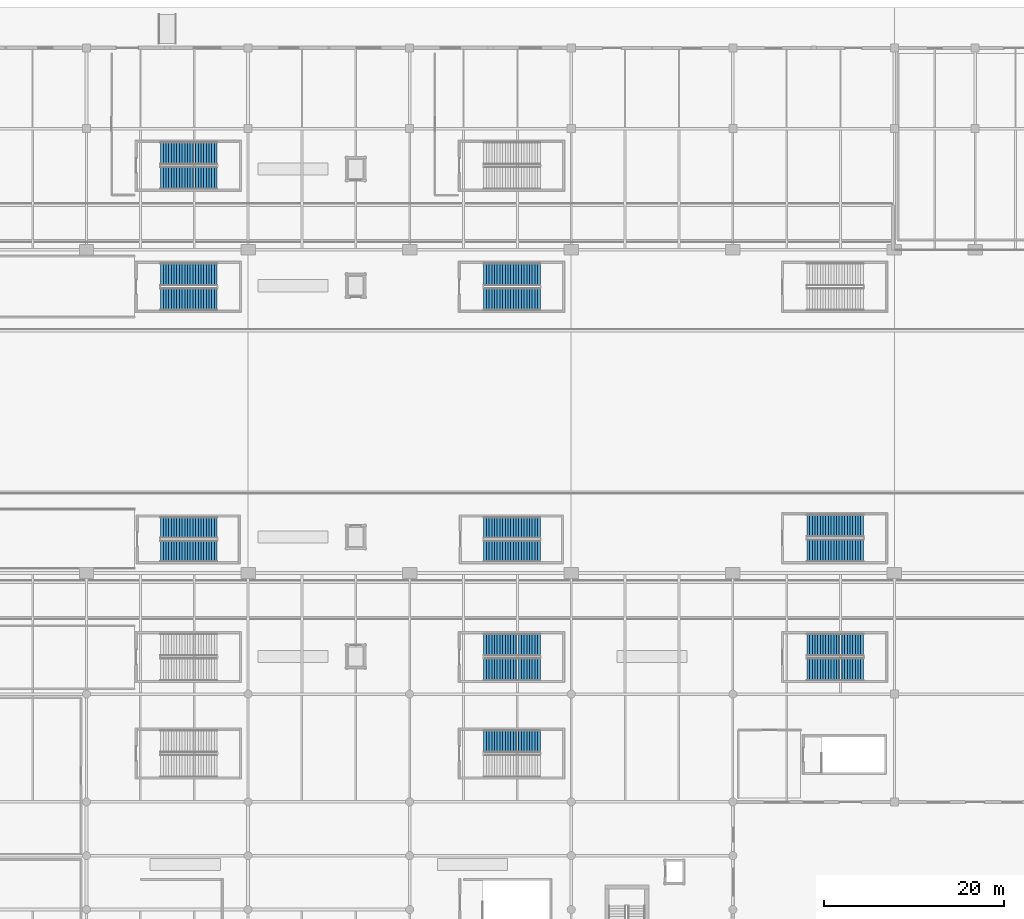
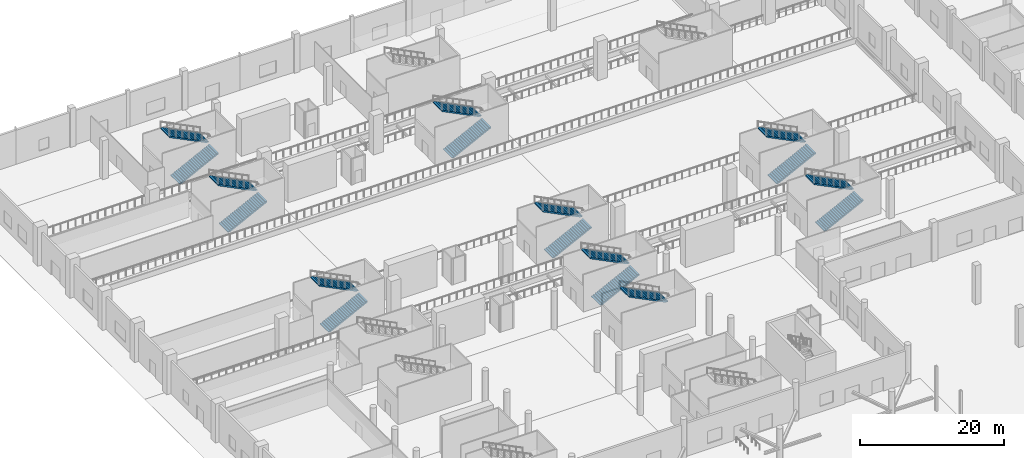
# One storey, part 30 of 65: 17 stair flights, 9 elements without a shape of their own.
"""IFC4 building model written with IfcOpenShell, lengths in metres."""

from ifc_helpers import new_model, si_unit, direction, frame, origin, place, context, subcontext, project, spatial, polyline, outline, extrude, material, type_object, element, aggregate, save


model = new_model("IFC4")

# Units and contexts
model_context = context("Model", 3, precision=1e-05, world=origin(), true_north=direction((0.0, 1.0)))
body_context = subcontext(model_context, "Body", "Model", "MODEL_VIEW")
ifc_project = project(units=[si_unit("LENGTHUNIT", "METRE"), si_unit("AREAUNIT", "SQUARE_METRE"), si_unit("VOLUMEUNIT", "CUBIC_METRE"), si_unit("PLANEANGLEUNIT", "RADIAN"), si_unit("MASSUNIT", "GRAM", prefix="KILO")], contexts=[model_context])

# Site, building, storey
site_placement = place(None, origin())
site = spatial("IfcSite", under=ifc_project, at=site_placement, CompositionType="ELEMENT")
building_placement = place(site_placement, origin())
building = spatial("IfcBuilding", under=site, at=building_placement, Name="Chuanluo Vaults Station", CompositionType="ELEMENT")
storey_placement = place(building_placement, origin())
storey = spatial("IfcBuildingStorey", under=building, at=storey_placement, Name="L00", CompositionType="ELEMENT", Elevation=0.0)

# Stair, stair flights
ifc_material_1 = material(Name="Concrete C40", Category="concrete")
stair_type_1 = type_object("IfcStairType", Name="STR-TWO-2400", PredefinedType="HALF_TURN_STAIR", material=ifc_material_1)
stair_1_placement = place(storey_placement, origin())
stair_1 = element("IfcStair", 1, at=stair_1_placement, inside=storey, type_object=stair_type_1, Name="L00 ST-10", PredefinedType="HALF_TURN_STAIR")
ifc_material_2 = material(Name="Concrete C40", Category="concrete")
stair_flight_type_1 = type_object("IfcStairFlightType", Name="SFL-STR-2400", PredefinedType="STRAIGHT", material=ifc_material_2)
stair_flight_1_placement = place(storey_placement, frame((26.25, 69.9375, 0.0), z_axis=(0.0, 0.0, 1.0), x_axis=(1.0, 0.0, 0.0)))
stair_flight_1 = element("IfcStairFlight", 2, at=stair_flight_1_placement, type_object=stair_flight_type_1, Name="ST-10 flight 1", NumberOfRisers=22, NumberOfTreads=21, PredefinedType="STRAIGHT", RiserHeight=0.15, TreadLength=0.3, context=body_context, shape_type="SweptSolid", body=[
    extrude(outline(polyline([(0.0, 0.0), (0.0, 0.14990234375), (0.300048828125, 0.14990234375), (0.300048828125, 0.300048828125), (0.60009765625, 0.300048828125), (0.60009765625, 0.449951171875), (0.89990234375, 0.449951171875), (0.89990234375, 0.60009765625), (1.199951171875, 0.60009765625), (1.199951171875, 0.75), (1.5, 0.75), (1.5, 0.89990234375), (1.800048828125, 0.89990234375), (1.800048828125, 1.050048828125), (2.10009765625, 1.050048828125), (2.10009765625, 1.199951171875), (2.39990234375, 1.199951171875), (2.39990234375, 1.35009765625), (2.699951171875, 1.35009765625), (2.699951171875, 1.5), (3.0, 1.5), (3.0, 1.64990234375), (3.300048828125, 1.64990234375), (3.300048828125, 1.800048828125), (3.60009765625, 1.800048828125), (3.60009765625, 1.949951171875), (3.89990234375, 1.949951171875), (3.89990234375, 2.10009765625), (4.199951171875, 2.10009765625), (4.199951171875, 2.25), (4.5, 2.25), (4.5, 2.39990234375), (4.800048828125, 2.39990234375), (4.800048828125, 2.550048828125), (5.10009765625, 2.550048828125), (5.10009765625, 2.699951171875), (5.39990234375, 2.699951171875), (5.39990234375, 2.85009765625), (5.699951171875, 2.85009765625), (5.699951171875, 3.0), (6.0, 3.0), (6.0, 3.14990234375), (6.300048828125, 3.14990234375), (6.300048828125, 3.300048828125), (6.300048828125, 2.94873046875), (0.40234375, 0.0), (0.0, 0.0)])), frame((0.0, 1.1875, 0.0), z_axis=(0.0, -1.0, 0.0), x_axis=(1.0, 0.0, 0.0)), (0.0, 0.0, 1.0), 2.375),
])
stair_flight_2_placement = place(storey_placement, frame((32.550048828125, 72.5625, 3.300048828125), z_axis=(0.0, 0.0, 1.0), x_axis=(-1.0, 0.0, 0.0)))
stair_flight_2 = element("IfcStairFlight", 3, at=stair_flight_2_placement, type_object=stair_flight_type_1, Name="ST-10 flight 2", NumberOfRisers=22, NumberOfTreads=21, PredefinedType="STRAIGHT", RiserHeight=0.15, TreadLength=0.3, context=body_context, shape_type="SweptSolid", body=[
    extrude(outline(polyline([(0.0, 0.0), (0.0, 0.14990234375), (0.300048828125, 0.14990234375), (0.300048828125, 0.300048828125), (0.60009765625, 0.300048828125), (0.60009765625, 0.449951171875), (0.89990234375, 0.449951171875), (0.89990234375, 0.60009765625), (1.199951171875, 0.60009765625), (1.199951171875, 0.75), (1.5, 0.75), (1.5, 0.89990234375), (1.800048828125, 0.89990234375), (1.800048828125, 1.050048828125), (2.10009765625, 1.050048828125), (2.10009765625, 1.199951171875), (2.39990234375, 1.199951171875), (2.39990234375, 1.35009765625), (2.699951171875, 1.35009765625), (2.699951171875, 1.5), (3.0, 1.5), (3.0, 1.64990234375), (3.300048828125, 1.64990234375), (3.300048828125, 1.800048828125), (3.60009765625, 1.800048828125), (3.60009765625, 1.949951171875), (3.89990234375, 1.949951171875), (3.89990234375, 2.10009765625), (4.199951171875, 2.10009765625), (4.199951171875, 2.25), (4.5, 2.25), (4.5, 2.39990234375), (4.800048828125, 2.39990234375), (4.800048828125, 2.550048828125), (5.10009765625, 2.550048828125), (5.10009765625, 2.699951171875), (5.39990234375, 2.699951171875), (5.39990234375, 2.85009765625), (5.699951171875, 2.85009765625), (5.699951171875, 3.0), (6.0, 3.0), (6.0, 3.14990234375), (6.300048828125, 3.14990234375), (6.300048828125, 3.300048828125), (6.300048828125, 2.94873046875), (0.40234375, 0.0), (0.0, 0.0)])), frame((0.0, 1.1875, 0.0), z_axis=(0.0, -1.0, 0.0), x_axis=(1.0, 0.0, 0.0)), (0.0, 0.0, 1.0), 2.375),
])
aggregate(stair_1, [stair_flight_1, stair_flight_2])

stair_2_placement = place(storey_placement, origin())
stair_2 = element("IfcStair", 4, at=stair_2_placement, inside=storey, type_object=stair_type_1, Name="L00 ST-11", PredefinedType="HALF_TURN_STAIR")
stair_flight_3_placement = place(storey_placement, frame((62.25, 69.9375, 0.0), z_axis=(0.0, 0.0, 1.0), x_axis=(1.0, 0.0, 0.0)))
stair_flight_3 = element("IfcStairFlight", 5, at=stair_flight_3_placement, type_object=stair_flight_type_1, Name="ST-11 flight 1", NumberOfRisers=22, NumberOfTreads=21, PredefinedType="STRAIGHT", RiserHeight=0.15, TreadLength=0.3, context=body_context, shape_type="SweptSolid", body=[
    extrude(outline(polyline([(0.0, 0.0), (0.0, 0.14990234375), (0.300048828125, 0.14990234375), (0.300048828125, 0.300048828125), (0.60009765625, 0.300048828125), (0.60009765625, 0.449951171875), (0.89990234375, 0.449951171875), (0.89990234375, 0.60009765625), (1.199951171875, 0.60009765625), (1.199951171875, 0.75), (1.5, 0.75), (1.5, 0.89990234375), (1.800048828125, 0.89990234375), (1.800048828125, 1.050048828125), (2.10009765625, 1.050048828125), (2.10009765625, 1.199951171875), (2.39990234375, 1.199951171875), (2.39990234375, 1.35009765625), (2.699951171875, 1.35009765625), (2.699951171875, 1.5), (3.0, 1.5), (3.0, 1.64990234375), (3.300048828125, 1.64990234375), (3.300048828125, 1.800048828125), (3.60009765625, 1.800048828125), (3.60009765625, 1.949951171875), (3.89990234375, 1.949951171875), (3.89990234375, 2.10009765625), (4.199951171875, 2.10009765625), (4.199951171875, 2.25), (4.5, 2.25), (4.5, 2.39990234375), (4.800048828125, 2.39990234375), (4.800048828125, 2.550048828125), (5.10009765625, 2.550048828125), (5.10009765625, 2.699951171875), (5.39990234375, 2.699951171875), (5.39990234375, 2.85009765625), (5.699951171875, 2.85009765625), (5.699951171875, 3.0), (6.0, 3.0), (6.0, 3.14990234375), (6.300048828125, 3.14990234375), (6.300048828125, 3.300048828125), (6.300048828125, 2.94873046875), (0.40234375, 0.0), (0.0, 0.0)])), frame((0.0, 1.1875, 0.0), z_axis=(0.0, -1.0, 0.0), x_axis=(1.0, 0.0, 0.0)), (0.0, 0.0, 1.0), 2.375),
])
stair_flight_4_placement = place(storey_placement, frame((68.550048828125, 72.5625, 3.300048828125), z_axis=(0.0, 0.0, 1.0), x_axis=(-1.0, 0.0, 0.0)))
stair_flight_4 = element("IfcStairFlight", 6, at=stair_flight_4_placement, type_object=stair_flight_type_1, Name="ST-11 flight 2", NumberOfRisers=22, NumberOfTreads=21, PredefinedType="STRAIGHT", RiserHeight=0.15, TreadLength=0.3, context=body_context, shape_type="SweptSolid", body=[
    extrude(outline(polyline([(0.0, 0.0), (0.0, 0.14990234375), (0.300048828125, 0.14990234375), (0.300048828125, 0.300048828125), (0.60009765625, 0.300048828125), (0.60009765625, 0.449951171875), (0.89990234375, 0.449951171875), (0.89990234375, 0.60009765625), (1.199951171875, 0.60009765625), (1.199951171875, 0.75), (1.5, 0.75), (1.5, 0.89990234375), (1.800048828125, 0.89990234375), (1.800048828125, 1.050048828125), (2.10009765625, 1.050048828125), (2.10009765625, 1.199951171875), (2.39990234375, 1.199951171875), (2.39990234375, 1.35009765625), (2.699951171875, 1.35009765625), (2.699951171875, 1.5), (3.0, 1.5), (3.0, 1.64990234375), (3.300048828125, 1.64990234375), (3.300048828125, 1.800048828125), (3.60009765625, 1.800048828125), (3.60009765625, 1.949951171875), (3.89990234375, 1.949951171875), (3.89990234375, 2.10009765625), (4.199951171875, 2.10009765625), (4.199951171875, 2.25), (4.5, 2.25), (4.5, 2.39990234375), (4.800048828125, 2.39990234375), (4.800048828125, 2.550048828125), (5.10009765625, 2.550048828125), (5.10009765625, 2.699951171875), (5.39990234375, 2.699951171875), (5.39990234375, 2.85009765625), (5.699951171875, 2.85009765625), (5.699951171875, 3.0), (6.0, 3.0), (6.0, 3.14990234375), (6.300048828125, 3.14990234375), (6.300048828125, 3.300048828125), (6.300048828125, 2.94873046875), (0.40234375, 0.0), (0.0, 0.0)])), frame((0.0, 1.1875, 0.0), z_axis=(0.0, -1.0, 0.0), x_axis=(1.0, 0.0, 0.0)), (0.0, 0.0, 1.0), 2.375),
])
aggregate(stair_2, [stair_flight_3, stair_flight_4])

ifc_material_3 = material(Name="Concrete C40", Category="concrete")
stair_type_2 = type_object("IfcStairType", Name="STR-TWO-2500", PredefinedType="HALF_TURN_STAIR", material=ifc_material_3)
stair_3_placement = place(storey_placement, origin())
stair_3 = element("IfcStair", 7, at=stair_3_placement, inside=storey, type_object=stair_type_2, Name="L00 ST-08", PredefinedType="HALF_TURN_STAIR")
ifc_material_4 = material(Name="Concrete C40", Category="concrete")
stair_flight_type_2 = type_object("IfcStairFlightType", Name="SFL-STR-2500", PredefinedType="STRAIGHT", material=ifc_material_4)
stair_flight_5_placement = place(storey_placement, frame((62.25, 56.75, 0.0), z_axis=(0.0, 0.0, 1.0), x_axis=(1.0, 0.0, 0.0)))
stair_flight_5 = element("IfcStairFlight", 8, at=stair_flight_5_placement, type_object=stair_flight_type_2, Name="ST-08 flight 1", NumberOfRisers=22, NumberOfTreads=21, PredefinedType="STRAIGHT", RiserHeight=0.15, TreadLength=0.3, context=body_context, shape_type="SweptSolid", body=[
    extrude(outline(polyline([(0.0, 0.0), (0.0, 0.14990234375), (0.300048828125, 0.14990234375), (0.300048828125, 0.300048828125), (0.60009765625, 0.300048828125), (0.60009765625, 0.449951171875), (0.89990234375, 0.449951171875), (0.89990234375, 0.60009765625), (1.199951171875, 0.60009765625), (1.199951171875, 0.75), (1.5, 0.75), (1.5, 0.89990234375), (1.800048828125, 0.89990234375), (1.800048828125, 1.050048828125), (2.10009765625, 1.050048828125), (2.10009765625, 1.199951171875), (2.39990234375, 1.199951171875), (2.39990234375, 1.35009765625), (2.699951171875, 1.35009765625), (2.699951171875, 1.5), (3.0, 1.5), (3.0, 1.64990234375), (3.300048828125, 1.64990234375), (3.300048828125, 1.800048828125), (3.60009765625, 1.800048828125), (3.60009765625, 1.949951171875), (3.89990234375, 1.949951171875), (3.89990234375, 2.10009765625), (4.199951171875, 2.10009765625), (4.199951171875, 2.25), (4.5, 2.25), (4.5, 2.39990234375), (4.800048828125, 2.39990234375), (4.800048828125, 2.550048828125), (5.10009765625, 2.550048828125), (5.10009765625, 2.699951171875), (5.39990234375, 2.699951171875), (5.39990234375, 2.85009765625), (5.699951171875, 2.85009765625), (5.699951171875, 3.0), (6.0, 3.0), (6.0, 3.14990234375), (6.300048828125, 3.14990234375), (6.300048828125, 3.300048828125), (6.300048828125, 2.94873046875), (0.40234375, 0.0), (0.0, 0.0)])), frame((0.0, 1.25, 0.0), z_axis=(0.0, -1.0, 0.0), x_axis=(1.0, 0.0, 0.0)), (0.0, 0.0, 1.0), 2.5),
])
stair_flight_6_placement = place(storey_placement, frame((68.550048828125, 59.5, 3.300048828125), z_axis=(0.0, 0.0, 1.0), x_axis=(-1.0, 0.0, 0.0)))
stair_flight_6 = element("IfcStairFlight", 9, at=stair_flight_6_placement, type_object=stair_flight_type_2, Name="ST-08 flight 2", NumberOfRisers=22, NumberOfTreads=21, PredefinedType="STRAIGHT", RiserHeight=0.15, TreadLength=0.3, context=body_context, shape_type="SweptSolid", body=[
    extrude(outline(polyline([(0.0, 0.0), (0.0, 0.14990234375), (0.300048828125, 0.14990234375), (0.300048828125, 0.300048828125), (0.60009765625, 0.300048828125), (0.60009765625, 0.449951171875), (0.89990234375, 0.449951171875), (0.89990234375, 0.60009765625), (1.199951171875, 0.60009765625), (1.199951171875, 0.75), (1.5, 0.75), (1.5, 0.89990234375), (1.800048828125, 0.89990234375), (1.800048828125, 1.050048828125), (2.10009765625, 1.050048828125), (2.10009765625, 1.199951171875), (2.39990234375, 1.199951171875), (2.39990234375, 1.35009765625), (2.699951171875, 1.35009765625), (2.699951171875, 1.5), (3.0, 1.5), (3.0, 1.64990234375), (3.300048828125, 1.64990234375), (3.300048828125, 1.800048828125), (3.60009765625, 1.800048828125), (3.60009765625, 1.949951171875), (3.89990234375, 1.949951171875), (3.89990234375, 2.10009765625), (4.199951171875, 2.10009765625), (4.199951171875, 2.25), (4.5, 2.25), (4.5, 2.39990234375), (4.800048828125, 2.39990234375), (4.800048828125, 2.550048828125), (5.10009765625, 2.550048828125), (5.10009765625, 2.699951171875), (5.39990234375, 2.699951171875), (5.39990234375, 2.85009765625), (5.699951171875, 2.85009765625), (5.699951171875, 3.0), (6.0, 3.0), (6.0, 3.14990234375), (6.300048828125, 3.14990234375), (6.300048828125, 3.300048828125), (6.300048828125, 2.94873046875), (0.40234375, 0.0), (0.0, 0.0)])), frame((0.0, 1.25, 0.0), z_axis=(0.0, -1.0, 0.0), x_axis=(1.0, 0.0, 0.0)), (0.0, 0.0, 1.0), 2.5),
])
aggregate(stair_3, [stair_flight_5, stair_flight_6])

stair_4_placement = place(storey_placement, origin())
stair_4 = element("IfcStair", 10, at=stair_4_placement, inside=storey, type_object=stair_type_2, Name="L00 ST-09", PredefinedType="HALF_TURN_STAIR")
stair_flight_7_placement = place(storey_placement, frame((98.25, 56.75, 0.0), z_axis=(0.0, 0.0, 1.0), x_axis=(1.0, 0.0, 0.0)))
stair_flight_7 = element("IfcStairFlight", 11, at=stair_flight_7_placement, type_object=stair_flight_type_2, Name="ST-09 flight 1", NumberOfRisers=22, NumberOfTreads=21, PredefinedType="STRAIGHT", RiserHeight=0.15, TreadLength=0.3, context=body_context, shape_type="SweptSolid", body=[
    extrude(outline(polyline([(0.0, 0.0), (0.0, 0.14990234375), (0.300048828125, 0.14990234375), (0.300048828125, 0.300048828125), (0.60009765625, 0.300048828125), (0.60009765625, 0.449951171875), (0.89990234375, 0.449951171875), (0.89990234375, 0.60009765625), (1.199951171875, 0.60009765625), (1.199951171875, 0.75), (1.5, 0.75), (1.5, 0.89990234375), (1.800048828125, 0.89990234375), (1.800048828125, 1.050048828125), (2.10009765625, 1.050048828125), (2.10009765625, 1.199951171875), (2.39990234375, 1.199951171875), (2.39990234375, 1.35009765625), (2.699951171875, 1.35009765625), (2.699951171875, 1.5), (3.0, 1.5), (3.0, 1.64990234375), (3.300048828125, 1.64990234375), (3.300048828125, 1.800048828125), (3.60009765625, 1.800048828125), (3.60009765625, 1.949951171875), (3.89990234375, 1.949951171875), (3.89990234375, 2.10009765625), (4.199951171875, 2.10009765625), (4.199951171875, 2.25), (4.5, 2.25), (4.5, 2.39990234375), (4.800048828125, 2.39990234375), (4.800048828125, 2.550048828125), (5.10009765625, 2.550048828125), (5.10009765625, 2.699951171875), (5.39990234375, 2.699951171875), (5.39990234375, 2.85009765625), (5.699951171875, 2.85009765625), (5.699951171875, 3.0), (6.0, 3.0), (6.0, 3.14990234375), (6.300048828125, 3.14990234375), (6.300048828125, 3.300048828125), (6.300048828125, 2.94873046875), (0.40234375, 0.0), (0.0, 0.0)])), frame((0.0, 1.25, 0.0), z_axis=(0.0, -1.0, 0.0), x_axis=(1.0, 0.0, 0.0)), (0.0, 0.0, 1.0), 2.5),
])
stair_flight_8_placement = place(storey_placement, frame((104.550048828125, 59.5, 3.300048828125), z_axis=(0.0, 0.0, 1.0), x_axis=(-1.0, 0.0, 0.0)))
stair_flight_8 = element("IfcStairFlight", 12, at=stair_flight_8_placement, type_object=stair_flight_type_2, Name="ST-09 flight 2", NumberOfRisers=22, NumberOfTreads=21, PredefinedType="STRAIGHT", RiserHeight=0.15, TreadLength=0.3, context=body_context, shape_type="SweptSolid", body=[
    extrude(outline(polyline([(0.0, 0.0), (0.0, 0.14990234375), (0.300048828125, 0.14990234375), (0.300048828125, 0.300048828125), (0.60009765625, 0.300048828125), (0.60009765625, 0.449951171875), (0.89990234375, 0.449951171875), (0.89990234375, 0.60009765625), (1.199951171875, 0.60009765625), (1.199951171875, 0.75), (1.5, 0.75), (1.5, 0.89990234375), (1.800048828125, 0.89990234375), (1.800048828125, 1.050048828125), (2.10009765625, 1.050048828125), (2.10009765625, 1.199951171875), (2.39990234375, 1.199951171875), (2.39990234375, 1.35009765625), (2.699951171875, 1.35009765625), (2.699951171875, 1.5), (3.0, 1.5), (3.0, 1.64990234375), (3.300048828125, 1.64990234375), (3.300048828125, 1.800048828125), (3.60009765625, 1.800048828125), (3.60009765625, 1.949951171875), (3.89990234375, 1.949951171875), (3.89990234375, 2.10009765625), (4.199951171875, 2.10009765625), (4.199951171875, 2.25), (4.5, 2.25), (4.5, 2.39990234375), (4.800048828125, 2.39990234375), (4.800048828125, 2.550048828125), (5.10009765625, 2.550048828125), (5.10009765625, 2.699951171875), (5.39990234375, 2.699951171875), (5.39990234375, 2.85009765625), (5.699951171875, 2.85009765625), (5.699951171875, 3.0), (6.0, 3.0), (6.0, 3.14990234375), (6.300048828125, 3.14990234375), (6.300048828125, 3.300048828125), (6.300048828125, 2.94873046875), (0.40234375, 0.0), (0.0, 0.0)])), frame((0.0, 1.25, 0.0), z_axis=(0.0, -1.0, 0.0), x_axis=(1.0, 0.0, 0.0)), (0.0, 0.0, 1.0), 2.5),
])
aggregate(stair_4, [stair_flight_7, stair_flight_8])

stair_5_placement = place(storey_placement, origin())
stair_5 = element("IfcStair", 13, at=stair_5_placement, inside=storey, type_object=stair_type_2, Name="L00 ST-12", PredefinedType="HALF_TURN_STAIR")
stair_flight_9_placement = place(storey_placement, frame((98.25, 70.0, 0.0), z_axis=(0.0, 0.0, 1.0), x_axis=(1.0, 0.0, 0.0)))
stair_flight_9 = element("IfcStairFlight", 14, at=stair_flight_9_placement, type_object=stair_flight_type_2, Name="ST-12 flight 1", NumberOfRisers=22, NumberOfTreads=21, PredefinedType="STRAIGHT", RiserHeight=0.15, TreadLength=0.3, context=body_context, shape_type="SweptSolid", body=[
    extrude(outline(polyline([(0.0, 0.0), (0.0, 0.14990234375), (0.300048828125, 0.14990234375), (0.300048828125, 0.300048828125), (0.60009765625, 0.300048828125), (0.60009765625, 0.449951171875), (0.89990234375, 0.449951171875), (0.89990234375, 0.60009765625), (1.199951171875, 0.60009765625), (1.199951171875, 0.75), (1.5, 0.75), (1.5, 0.89990234375), (1.800048828125, 0.89990234375), (1.800048828125, 1.050048828125), (2.10009765625, 1.050048828125), (2.10009765625, 1.199951171875), (2.39990234375, 1.199951171875), (2.39990234375, 1.35009765625), (2.699951171875, 1.35009765625), (2.699951171875, 1.5), (3.0, 1.5), (3.0, 1.64990234375), (3.300048828125, 1.64990234375), (3.300048828125, 1.800048828125), (3.60009765625, 1.800048828125), (3.60009765625, 1.949951171875), (3.89990234375, 1.949951171875), (3.89990234375, 2.10009765625), (4.199951171875, 2.10009765625), (4.199951171875, 2.25), (4.5, 2.25), (4.5, 2.39990234375), (4.800048828125, 2.39990234375), (4.800048828125, 2.550048828125), (5.10009765625, 2.550048828125), (5.10009765625, 2.699951171875), (5.39990234375, 2.699951171875), (5.39990234375, 2.85009765625), (5.699951171875, 2.85009765625), (5.699951171875, 3.0), (6.0, 3.0), (6.0, 3.14990234375), (6.300048828125, 3.14990234375), (6.300048828125, 3.300048828125), (6.300048828125, 2.94873046875), (0.40234375, 0.0), (0.0, 0.0)])), frame((0.0, 1.25, 0.0), z_axis=(0.0, -1.0, 0.0), x_axis=(1.0, 0.0, 0.0)), (0.0, 0.0, 1.0), 2.5),
])
stair_flight_10_placement = place(storey_placement, frame((104.550048828125, 72.75, 3.300048828125), z_axis=(0.0, 0.0, 1.0), x_axis=(-1.0, 0.0, 0.0)))
stair_flight_10 = element("IfcStairFlight", 15, at=stair_flight_10_placement, type_object=stair_flight_type_2, Name="ST-12 flight 2", NumberOfRisers=22, NumberOfTreads=21, PredefinedType="STRAIGHT", RiserHeight=0.15, TreadLength=0.3, context=body_context, shape_type="SweptSolid", body=[
    extrude(outline(polyline([(0.0, 0.0), (0.0, 0.14990234375), (0.300048828125, 0.14990234375), (0.300048828125, 0.300048828125), (0.60009765625, 0.300048828125), (0.60009765625, 0.449951171875), (0.89990234375, 0.449951171875), (0.89990234375, 0.60009765625), (1.199951171875, 0.60009765625), (1.199951171875, 0.75), (1.5, 0.75), (1.5, 0.89990234375), (1.800048828125, 0.89990234375), (1.800048828125, 1.050048828125), (2.10009765625, 1.050048828125), (2.10009765625, 1.199951171875), (2.39990234375, 1.199951171875), (2.39990234375, 1.35009765625), (2.699951171875, 1.35009765625), (2.699951171875, 1.5), (3.0, 1.5), (3.0, 1.64990234375), (3.300048828125, 1.64990234375), (3.300048828125, 1.800048828125), (3.60009765625, 1.800048828125), (3.60009765625, 1.949951171875), (3.89990234375, 1.949951171875), (3.89990234375, 2.10009765625), (4.199951171875, 2.10009765625), (4.199951171875, 2.25), (4.5, 2.25), (4.5, 2.39990234375), (4.800048828125, 2.39990234375), (4.800048828125, 2.550048828125), (5.10009765625, 2.550048828125), (5.10009765625, 2.699951171875), (5.39990234375, 2.699951171875), (5.39990234375, 2.85009765625), (5.699951171875, 2.85009765625), (5.699951171875, 3.0), (6.0, 3.0), (6.0, 3.14990234375), (6.300048828125, 3.14990234375), (6.300048828125, 3.300048828125), (6.300048828125, 2.94873046875), (0.40234375, 0.0), (0.0, 0.0)])), frame((0.0, 1.25, 0.0), z_axis=(0.0, -1.0, 0.0), x_axis=(1.0, 0.0, 0.0)), (0.0, 0.0, 1.0), 2.5),
])
aggregate(stair_5, [stair_flight_9, stair_flight_10])

stair_6_placement = place(storey_placement, origin())
stair_6 = element("IfcStair", 16, at=stair_6_placement, inside=storey, type_object=stair_type_2, Name="L00 ST-13", PredefinedType="HALF_TURN_STAIR")
stair_flight_11_placement = place(storey_placement, frame((26.25, 98.0, 0.0), z_axis=(0.0, 0.0, 1.0), x_axis=(1.0, 0.0, 0.0)))
stair_flight_11 = element("IfcStairFlight", 17, at=stair_flight_11_placement, type_object=stair_flight_type_2, Name="ST-13 flight 1", NumberOfRisers=22, NumberOfTreads=21, PredefinedType="STRAIGHT", RiserHeight=0.15, TreadLength=0.3, context=body_context, shape_type="SweptSolid", body=[
    extrude(outline(polyline([(0.0, 0.0), (0.0, 0.14990234375), (0.300048828125, 0.14990234375), (0.300048828125, 0.300048828125), (0.60009765625, 0.300048828125), (0.60009765625, 0.449951171875), (0.89990234375, 0.449951171875), (0.89990234375, 0.60009765625), (1.199951171875, 0.60009765625), (1.199951171875, 0.75), (1.5, 0.75), (1.5, 0.89990234375), (1.800048828125, 0.89990234375), (1.800048828125, 1.050048828125), (2.10009765625, 1.050048828125), (2.10009765625, 1.199951171875), (2.39990234375, 1.199951171875), (2.39990234375, 1.35009765625), (2.699951171875, 1.35009765625), (2.699951171875, 1.5), (3.0, 1.5), (3.0, 1.64990234375), (3.300048828125, 1.64990234375), (3.300048828125, 1.800048828125), (3.60009765625, 1.800048828125), (3.60009765625, 1.949951171875), (3.89990234375, 1.949951171875), (3.89990234375, 2.10009765625), (4.199951171875, 2.10009765625), (4.199951171875, 2.25), (4.5, 2.25), (4.5, 2.39990234375), (4.800048828125, 2.39990234375), (4.800048828125, 2.550048828125), (5.10009765625, 2.550048828125), (5.10009765625, 2.699951171875), (5.39990234375, 2.699951171875), (5.39990234375, 2.85009765625), (5.699951171875, 2.85009765625), (5.699951171875, 3.0), (6.0, 3.0), (6.0, 3.14990234375), (6.300048828125, 3.14990234375), (6.300048828125, 3.300048828125), (6.300048828125, 2.94873046875), (0.40234375, 0.0), (0.0, 0.0)])), frame((0.0, 1.25, 0.0), z_axis=(0.0, -1.0, 0.0), x_axis=(1.0, 0.0, 0.0)), (0.0, 0.0, 1.0), 2.5),
])
stair_flight_12_placement = place(storey_placement, frame((32.550048828125, 100.75, 3.300048828125), z_axis=(0.0, 0.0, 1.0), x_axis=(-1.0, 0.0, 0.0)))
stair_flight_12 = element("IfcStairFlight", 18, at=stair_flight_12_placement, type_object=stair_flight_type_2, Name="ST-13 flight 2", NumberOfRisers=22, NumberOfTreads=21, PredefinedType="STRAIGHT", RiserHeight=0.15, TreadLength=0.3, context=body_context, shape_type="SweptSolid", body=[
    extrude(outline(polyline([(0.0, 0.0), (0.0, 0.14990234375), (0.300048828125, 0.14990234375), (0.300048828125, 0.300048828125), (0.60009765625, 0.300048828125), (0.60009765625, 0.449951171875), (0.89990234375, 0.449951171875), (0.89990234375, 0.60009765625), (1.199951171875, 0.60009765625), (1.199951171875, 0.75), (1.5, 0.75), (1.5, 0.89990234375), (1.800048828125, 0.89990234375), (1.800048828125, 1.050048828125), (2.10009765625, 1.050048828125), (2.10009765625, 1.199951171875), (2.39990234375, 1.199951171875), (2.39990234375, 1.35009765625), (2.699951171875, 1.35009765625), (2.699951171875, 1.5), (3.0, 1.5), (3.0, 1.64990234375), (3.300048828125, 1.64990234375), (3.300048828125, 1.800048828125), (3.60009765625, 1.800048828125), (3.60009765625, 1.949951171875), (3.89990234375, 1.949951171875), (3.89990234375, 2.10009765625), (4.199951171875, 2.10009765625), (4.199951171875, 2.25), (4.5, 2.25), (4.5, 2.39990234375), (4.800048828125, 2.39990234375), (4.800048828125, 2.550048828125), (5.10009765625, 2.550048828125), (5.10009765625, 2.699951171875), (5.39990234375, 2.699951171875), (5.39990234375, 2.85009765625), (5.699951171875, 2.85009765625), (5.699951171875, 3.0), (6.0, 3.0), (6.0, 3.14990234375), (6.300048828125, 3.14990234375), (6.300048828125, 3.300048828125), (6.300048828125, 2.94873046875), (0.40234375, 0.0), (0.0, 0.0)])), frame((0.0, 1.25, 0.0), z_axis=(0.0, -1.0, 0.0), x_axis=(1.0, 0.0, 0.0)), (0.0, 0.0, 1.0), 2.5),
])
aggregate(stair_6, [stair_flight_11, stair_flight_12])

stair_7_placement = place(storey_placement, origin())
stair_7 = element("IfcStair", 19, at=stair_7_placement, inside=storey, type_object=stair_type_2, Name="L00 ST-14", PredefinedType="HALF_TURN_STAIR")
stair_flight_13_placement = place(storey_placement, frame((62.25, 98.0, 0.0), z_axis=(0.0, 0.0, 1.0), x_axis=(1.0, 0.0, 0.0)))
stair_flight_13 = element("IfcStairFlight", 20, at=stair_flight_13_placement, type_object=stair_flight_type_2, Name="ST-14 flight 1", NumberOfRisers=22, NumberOfTreads=21, PredefinedType="STRAIGHT", RiserHeight=0.15, TreadLength=0.3, context=body_context, shape_type="SweptSolid", body=[
    extrude(outline(polyline([(0.0, 0.0), (0.0, 0.14990234375), (0.300048828125, 0.14990234375), (0.300048828125, 0.300048828125), (0.60009765625, 0.300048828125), (0.60009765625, 0.449951171875), (0.89990234375, 0.449951171875), (0.89990234375, 0.60009765625), (1.199951171875, 0.60009765625), (1.199951171875, 0.75), (1.5, 0.75), (1.5, 0.89990234375), (1.800048828125, 0.89990234375), (1.800048828125, 1.050048828125), (2.10009765625, 1.050048828125), (2.10009765625, 1.199951171875), (2.39990234375, 1.199951171875), (2.39990234375, 1.35009765625), (2.699951171875, 1.35009765625), (2.699951171875, 1.5), (3.0, 1.5), (3.0, 1.64990234375), (3.300048828125, 1.64990234375), (3.300048828125, 1.800048828125), (3.60009765625, 1.800048828125), (3.60009765625, 1.949951171875), (3.89990234375, 1.949951171875), (3.89990234375, 2.10009765625), (4.199951171875, 2.10009765625), (4.199951171875, 2.25), (4.5, 2.25), (4.5, 2.39990234375), (4.800048828125, 2.39990234375), (4.800048828125, 2.550048828125), (5.10009765625, 2.550048828125), (5.10009765625, 2.699951171875), (5.39990234375, 2.699951171875), (5.39990234375, 2.85009765625), (5.699951171875, 2.85009765625), (5.699951171875, 3.0), (6.0, 3.0), (6.0, 3.14990234375), (6.300048828125, 3.14990234375), (6.300048828125, 3.300048828125), (6.300048828125, 2.94873046875), (0.40234375, 0.0), (0.0, 0.0)])), frame((0.0, 1.25, 0.0), z_axis=(0.0, -1.0, 0.0), x_axis=(1.0, 0.0, 0.0)), (0.0, 0.0, 1.0), 2.5),
])
stair_flight_14_placement = place(storey_placement, frame((68.550048828125, 100.75, 3.300048828125), z_axis=(0.0, 0.0, 1.0), x_axis=(-1.0, 0.0, 0.0)))
stair_flight_14 = element("IfcStairFlight", 21, at=stair_flight_14_placement, type_object=stair_flight_type_2, Name="ST-14 flight 2", NumberOfRisers=22, NumberOfTreads=21, PredefinedType="STRAIGHT", RiserHeight=0.15, TreadLength=0.3, context=body_context, shape_type="SweptSolid", body=[
    extrude(outline(polyline([(0.0, 0.0), (0.0, 0.14990234375), (0.300048828125, 0.14990234375), (0.300048828125, 0.300048828125), (0.60009765625, 0.300048828125), (0.60009765625, 0.449951171875), (0.89990234375, 0.449951171875), (0.89990234375, 0.60009765625), (1.199951171875, 0.60009765625), (1.199951171875, 0.75), (1.5, 0.75), (1.5, 0.89990234375), (1.800048828125, 0.89990234375), (1.800048828125, 1.050048828125), (2.10009765625, 1.050048828125), (2.10009765625, 1.199951171875), (2.39990234375, 1.199951171875), (2.39990234375, 1.35009765625), (2.699951171875, 1.35009765625), (2.699951171875, 1.5), (3.0, 1.5), (3.0, 1.64990234375), (3.300048828125, 1.64990234375), (3.300048828125, 1.800048828125), (3.60009765625, 1.800048828125), (3.60009765625, 1.949951171875), (3.89990234375, 1.949951171875), (3.89990234375, 2.10009765625), (4.199951171875, 2.10009765625), (4.199951171875, 2.25), (4.5, 2.25), (4.5, 2.39990234375), (4.800048828125, 2.39990234375), (4.800048828125, 2.550048828125), (5.10009765625, 2.550048828125), (5.10009765625, 2.699951171875), (5.39990234375, 2.699951171875), (5.39990234375, 2.85009765625), (5.699951171875, 2.85009765625), (5.699951171875, 3.0), (6.0, 3.0), (6.0, 3.14990234375), (6.300048828125, 3.14990234375), (6.300048828125, 3.300048828125), (6.300048828125, 2.94873046875), (0.40234375, 0.0), (0.0, 0.0)])), frame((0.0, 1.25, 0.0), z_axis=(0.0, -1.0, 0.0), x_axis=(1.0, 0.0, 0.0)), (0.0, 0.0, 1.0), 2.5),
])
aggregate(stair_7, [stair_flight_13, stair_flight_14])

stair_8_placement = place(storey_placement, origin())
stair_8 = element("IfcStair", 22, at=stair_8_placement, inside=storey, type_object=stair_type_2, Name="L00 ST-16", PredefinedType="HALF_TURN_STAIR")
stair_flight_15_placement = place(storey_placement, frame((26.25, 111.5, 0.0), z_axis=(0.0, 0.0, 1.0), x_axis=(1.0, 0.0, 0.0)))
stair_flight_15 = element("IfcStairFlight", 23, at=stair_flight_15_placement, type_object=stair_flight_type_2, Name="ST-16 flight 1", NumberOfRisers=22, NumberOfTreads=21, PredefinedType="STRAIGHT", RiserHeight=0.15, TreadLength=0.3, context=body_context, shape_type="SweptSolid", body=[
    extrude(outline(polyline([(0.0, 0.0), (0.0, 0.14990234375), (0.300048828125, 0.14990234375), (0.300048828125, 0.300048828125), (0.60009765625, 0.300048828125), (0.60009765625, 0.449951171875), (0.89990234375, 0.449951171875), (0.89990234375, 0.60009765625), (1.199951171875, 0.60009765625), (1.199951171875, 0.75), (1.5, 0.75), (1.5, 0.89990234375), (1.800048828125, 0.89990234375), (1.800048828125, 1.050048828125), (2.10009765625, 1.050048828125), (2.10009765625, 1.199951171875), (2.39990234375, 1.199951171875), (2.39990234375, 1.35009765625), (2.699951171875, 1.35009765625), (2.699951171875, 1.5), (3.0, 1.5), (3.0, 1.64990234375), (3.300048828125, 1.64990234375), (3.300048828125, 1.800048828125), (3.60009765625, 1.800048828125), (3.60009765625, 1.949951171875), (3.89990234375, 1.949951171875), (3.89990234375, 2.10009765625), (4.199951171875, 2.10009765625), (4.199951171875, 2.25), (4.5, 2.25), (4.5, 2.39990234375), (4.800048828125, 2.39990234375), (4.800048828125, 2.550048828125), (5.10009765625, 2.550048828125), (5.10009765625, 2.699951171875), (5.39990234375, 2.699951171875), (5.39990234375, 2.85009765625), (5.699951171875, 2.85009765625), (5.699951171875, 3.0), (6.0, 3.0), (6.0, 3.14990234375), (6.300048828125, 3.14990234375), (6.300048828125, 3.300048828125), (6.300048828125, 2.94873046875), (0.40234375, 0.0), (0.0, 0.0)])), frame((0.0, 1.25, 0.0), z_axis=(0.0, -1.0, 0.0), x_axis=(1.0, 0.0, 0.0)), (0.0, 0.0, 1.0), 2.5),
])
stair_flight_16_placement = place(storey_placement, frame((32.550048828125, 114.25, 3.300048828125), z_axis=(0.0, 0.0, 1.0), x_axis=(-1.0, 0.0, 0.0)))
stair_flight_16 = element("IfcStairFlight", 24, at=stair_flight_16_placement, type_object=stair_flight_type_2, Name="ST-16 flight 2", NumberOfRisers=22, NumberOfTreads=21, PredefinedType="STRAIGHT", RiserHeight=0.15, TreadLength=0.3, context=body_context, shape_type="SweptSolid", body=[
    extrude(outline(polyline([(0.0, 0.0), (0.0, 0.14990234375), (0.300048828125, 0.14990234375), (0.300048828125, 0.300048828125), (0.60009765625, 0.300048828125), (0.60009765625, 0.449951171875), (0.89990234375, 0.449951171875), (0.89990234375, 0.60009765625), (1.199951171875, 0.60009765625), (1.199951171875, 0.75), (1.5, 0.75), (1.5, 0.89990234375), (1.800048828125, 0.89990234375), (1.800048828125, 1.050048828125), (2.10009765625, 1.050048828125), (2.10009765625, 1.199951171875), (2.39990234375, 1.199951171875), (2.39990234375, 1.35009765625), (2.699951171875, 1.35009765625), (2.699951171875, 1.5), (3.0, 1.5), (3.0, 1.64990234375), (3.300048828125, 1.64990234375), (3.300048828125, 1.800048828125), (3.60009765625, 1.800048828125), (3.60009765625, 1.949951171875), (3.89990234375, 1.949951171875), (3.89990234375, 2.10009765625), (4.199951171875, 2.10009765625), (4.199951171875, 2.25), (4.5, 2.25), (4.5, 2.39990234375), (4.800048828125, 2.39990234375), (4.800048828125, 2.550048828125), (5.10009765625, 2.550048828125), (5.10009765625, 2.699951171875), (5.39990234375, 2.699951171875), (5.39990234375, 2.85009765625), (5.699951171875, 2.85009765625), (5.699951171875, 3.0), (6.0, 3.0), (6.0, 3.14990234375), (6.300048828125, 3.14990234375), (6.300048828125, 3.300048828125), (6.300048828125, 2.94873046875), (0.40234375, 0.0), (0.0, 0.0)])), frame((0.0, 1.25, 0.0), z_axis=(0.0, -1.0, 0.0), x_axis=(1.0, 0.0, 0.0)), (0.0, 0.0, 1.0), 2.5),
])
aggregate(stair_8, [stair_flight_15, stair_flight_16])

# Stair, stair flight
stair_9_placement = place(storey_placement, origin())
stair_9 = element("IfcStair", 25, at=stair_9_placement, inside=storey, type_object=stair_type_2, Name="L00 ST-21", PredefinedType="HALF_TURN_STAIR")
stair_flight_17_placement = place(storey_placement, frame((68.550048828125, 48.75, 3.300048828125), z_axis=(0.0, 0.0, 1.0), x_axis=(-1.0, 0.0, 0.0)))
stair_flight_17 = element("IfcStairFlight", 26, at=stair_flight_17_placement, type_object=stair_flight_type_2, Name="ST-21 flight 2", NumberOfRisers=22, NumberOfTreads=21, PredefinedType="STRAIGHT", RiserHeight=0.15, TreadLength=0.3, context=body_context, shape_type="SweptSolid", body=[
    extrude(outline(polyline([(0.0, 0.0), (0.0, 0.14990234375), (0.300048828125, 0.14990234375), (0.300048828125, 0.300048828125), (0.60009765625, 0.300048828125), (0.60009765625, 0.449951171875), (0.89990234375, 0.449951171875), (0.89990234375, 0.60009765625), (1.199951171875, 0.60009765625), (1.199951171875, 0.75), (1.5, 0.75), (1.5, 0.89990234375), (1.800048828125, 0.89990234375), (1.800048828125, 1.050048828125), (2.10009765625, 1.050048828125), (2.10009765625, 1.199951171875), (2.39990234375, 1.199951171875), (2.39990234375, 1.35009765625), (2.699951171875, 1.35009765625), (2.699951171875, 1.5), (3.0, 1.5), (3.0, 1.64990234375), (3.300048828125, 1.64990234375), (3.300048828125, 1.800048828125), (3.60009765625, 1.800048828125), (3.60009765625, 1.949951171875), (3.89990234375, 1.949951171875), (3.89990234375, 2.10009765625), (4.199951171875, 2.10009765625), (4.199951171875, 2.25), (4.5, 2.25), (4.5, 2.39990234375), (4.800048828125, 2.39990234375), (4.800048828125, 2.550048828125), (5.10009765625, 2.550048828125), (5.10009765625, 2.699951171875), (5.39990234375, 2.699951171875), (5.39990234375, 2.85009765625), (5.699951171875, 2.85009765625), (5.699951171875, 3.0), (6.0, 3.0), (6.0, 3.14990234375), (6.300048828125, 3.14990234375), (6.300048828125, 3.300048828125), (6.300048828125, 2.94873046875), (0.40234375, 0.0), (0.0, 0.0)])), frame((0.0, 1.25, 0.0), z_axis=(0.0, -1.0, 0.0), x_axis=(1.0, 0.0, 0.0)), (0.0, 0.0, 1.0), 2.5),
])
aggregate(stair_9, [stair_flight_17])

save(model, "model.ifc")
